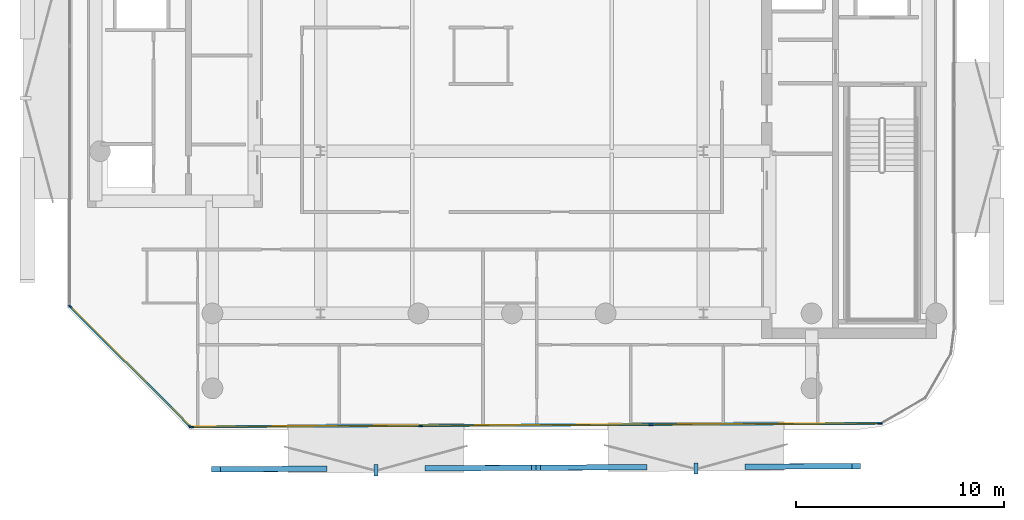
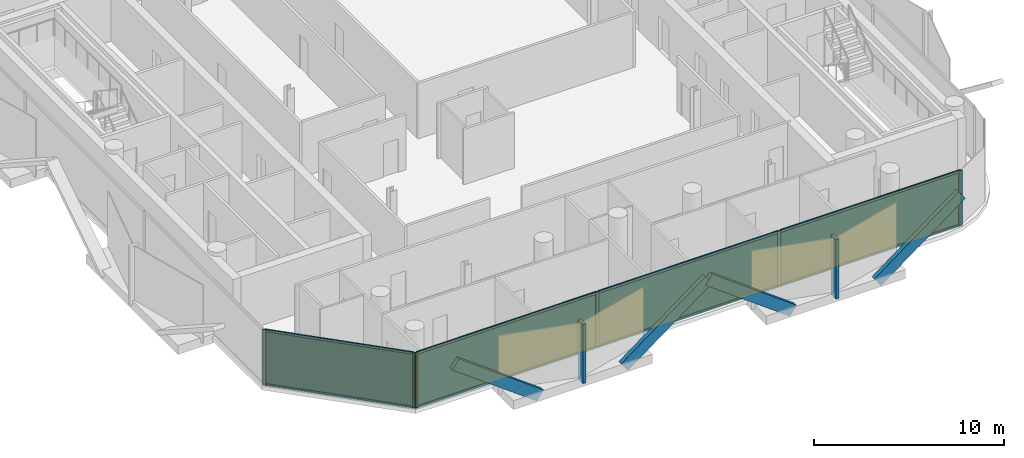
# One storey, part 9 of 15: 20 members, 4 plates, 2 curtain walls.
"""IFC4 building model written with IfcOpenShell, lengths in metres."""

from ifc_helpers import new_model, si_unit, direction, frame, frame_2d, origin, origin_2d, place, context, subcontext, project, spatial, rectangle, extrude, material, layer, layer_set, material_profile, profile_set, type_object, element, aggregate, save


model = new_model("IFC4")

# Units and contexts
model_context = context("Model", 3, precision=1e-05, world=origin(), true_north=direction((0.0, 1.0)))
body_context = subcontext(model_context, "Body", "Model", "MODEL_VIEW")
ifc_project = project(units=[si_unit("LENGTHUNIT", "METRE"), si_unit("AREAUNIT", "SQUARE_METRE"), si_unit("VOLUMEUNIT", "CUBIC_METRE"), si_unit("PLANEANGLEUNIT", "RADIAN"), si_unit("MASSUNIT", "GRAM", prefix="KILO")], contexts=[model_context])

# Member
ifc_material_1 = material(Name="Anodised Bronze Aluminium 6063-T6", Category="aluminium")
ifc_material_profile_1 = material_profile(ifc_material_1, rectangle(XDim=0.260009765625, YDim=0.699951171875, at=origin_2d()))
ifc_profile_set_1 = profile_set([ifc_material_profile_1], Name="Anodised Bronze Aluminium 6063-T6")
member_type_1 = type_object("IfcMemberType", Name="Bronze Diamond Solar-Screen Lattice Rib BDL-700", PredefinedType="MULLION", material=ifc_profile_set_1)
site_placement = place(None, origin())
building_placement = place(site_placement, origin())
storey_placement = place(building_placement, frame((0.0, 0.0, 285.199951171875)))
member_1_placement = place(storey_placement, frame((6.283935546875, -25.992919921875, -0.1298828125), z_axis=(-0.803500020593, -0.00397753354, 0.595291437981), x_axis=(-0.007859235196, 0.999961406081, -0.003926674333)))
member_1 = element("IfcMember", 1, at=member_1_placement, type_object=member_type_1, Name="L68 Bronze Diamond Solar Screen Lattice Rib 470A", PredefinedType="MULLION", context=body_context, shape_type="SweptSolid", body=[
    extrude(rectangle(XDim=0.260009765625, YDim=0.699951171875, at=origin_2d()), origin(), (0.0, 0.0, 1.0), 6.383544921875),
])

member_2_placement = place(storey_placement, frame((11.412841796875, -25.9677734375, -0.1298828125), z_axis=(0.803486466228, 0.003977655773, 0.595309731856), x_axis=(0.007859560217, -0.999961403786, -0.003926608098)))
member_2 = element("IfcMember", 2, at=member_2_placement, type_object=member_type_1, Name="L68 Bronze Diamond Solar Screen Lattice Rib 470B", PredefinedType="MULLION", context=body_context, shape_type="SweptSolid", body=[
    extrude(rectangle(XDim=0.260009765625, YDim=0.699951171875, at=origin_2d()), origin(), (0.0, 0.0, 1.0), 6.38330078125),
])

member_3_placement = place(storey_placement, frame((-9.10302734375, -26.06884765625, -0.1298828125), z_axis=(-0.803486587877, -0.00393940968, 0.595309821987), x_axis=(-0.007811962727, 0.999961776764, -0.003926607772)))
member_3 = element("IfcMember", 3, at=member_3_placement, type_object=member_type_1, Name="L68 Bronze Diamond Solar Screen Lattice Rib 471A", PredefinedType="MULLION", context=body_context, shape_type="SweptSolid", body=[
    extrude(rectangle(XDim=0.260009765625, YDim=0.699951171875, at=origin_2d()), origin(), (0.0, 0.0, 1.0), 6.38330078125),
])

member_4_placement = place(storey_placement, frame((-3.97412109375, -26.04345703125, -0.1298828125), z_axis=(0.803486587877, 0.00393940968, 0.595309821987), x_axis=(0.007811962727, -0.999961776764, -0.003926607772)))
member_4 = element("IfcMember", 4, at=member_4_placement, type_object=member_type_1, Name="L68 Bronze Diamond Solar Screen Lattice Rib 471B", PredefinedType="MULLION", context=body_context, shape_type="SweptSolid", body=[
    extrude(rectangle(XDim=0.260009765625, YDim=0.699951171875, at=origin_2d()), origin(), (0.0, 0.0, 1.0), 6.38330078125),
])

ifc_material_2 = material(Name="Anodised Bronze Aluminium 6063-T6", Category="aluminium")
ifc_material_profile_2 = material_profile(ifc_material_2, rectangle(XDim=0.179931640625, YDim=0.5400390625, at=origin_2d()))
ifc_profile_set_2 = profile_set([ifc_material_profile_2], Name="Anodised Bronze Aluminium 6063-T6")
member_type_2 = type_object("IfcMemberType", Name="Bronze Solar-Screen Vertical Fold Fin BSF-540", PredefinedType="MULLION", material=ifc_profile_set_2)
member_5_placement = place(storey_placement, frame((8.8486328125, -26.060302734375, -0.1298828125), z_axis=(0.0, 0.0, 1.0), x_axis=(-0.999988059021, -0.004886902454, 0.0)))
member_5 = element("IfcMember", 5, at=member_5_placement, type_object=member_type_2, Name="L68 Bronze Solar Screen Vertical Fin 470", PredefinedType="MULLION", context=body_context, shape_type="SweptSolid", body=[
    extrude(rectangle(XDim=0.179931640625, YDim=0.5400390625, at=origin_2d()), origin(), (0.0, 0.0, 1.0), 3.800048828125),
])

member_6_placement = place(storey_placement, frame((-6.5380859375, -26.13623046875, -0.1298828125), z_axis=(0.0, 0.0, 1.0), x_axis=(-0.999988059021, -0.004886902454, 0.0)))
member_6 = element("IfcMember", 6, at=member_6_placement, type_object=member_type_2, Name="L68 Bronze Solar Screen Vertical Fin 471", PredefinedType="MULLION", context=body_context, shape_type="SweptSolid", body=[
    extrude(rectangle(XDim=0.179931640625, YDim=0.5400390625, at=origin_2d()), origin(), (0.0, 0.0, 1.0), 3.800048828125),
])

ifc_material_3 = material(Name="Anodised Bronze Aluminium 6063-T6", Category="aluminium")
ifc_material_profile_3 = material_profile(ifc_material_3, rectangle(XDim=0.074951171875, YDim=0.2099609375, at=origin_2d()))
ifc_profile_set_3 = profile_set([ifc_material_profile_3], Name="Anodised Bronze Aluminium 6063-T6")
member_type_3 = type_object("IfcMemberType", Name="CW-CRN Mullion 75x210", PredefinedType="MULLION", material=ifc_profile_set_3)
member_7_placement = place(storey_placement, frame((17.694091796875, -23.896728515625, 0.0), z_axis=(0.0, 0.0, 1.0), x_axis=(0.004925528901, -0.999987869509, 0.0)))
member_7 = element("IfcMember", 7, at=member_7_placement, type_object=member_type_3, Name="CW-CRN mullion 1", PredefinedType="MULLION", context=body_context, shape_type="SweptSolid", body=[
    extrude(rectangle(XDim=0.074951171875, YDim=0.2099609375, at=origin_2d()), origin(), (0.0, 0.0, 1.0), 3.5400390625),
])

member_8_placement = place(storey_placement, frame((6.673828125, -23.951171875, 0.0), z_axis=(0.0, 0.0, 1.0), x_axis=(0.004925528901, -0.999987869509, 0.0)))
member_8 = element("IfcMember", 8, at=member_8_placement, type_object=member_type_3, Name="CW-CRN mullion 2", PredefinedType="MULLION", context=body_context, shape_type="SweptSolid", body=[
    extrude(rectangle(XDim=0.074951171875, YDim=0.2099609375, at=origin_2d()), origin(), (0.0, 0.0, 1.0), 3.5400390625),
])

member_9_placement = place(storey_placement, frame((-4.384033203125, -24.005615234375, 0.0), z_axis=(0.0, 0.0, 1.0), x_axis=(0.004925528901, -0.999987869509, 0.0)))
member_9 = element("IfcMember", 9, at=member_9_placement, type_object=member_type_3, Name="CW-CRN mullion 3", PredefinedType="MULLION", context=body_context, shape_type="SweptSolid", body=[
    extrude(rectangle(XDim=0.074951171875, YDim=0.2099609375, at=origin_2d()), origin(), (0.0, 0.0, 1.0), 3.5400390625),
])

member_10_placement = place(storey_placement, frame((-15.404541015625, -24.059814453125, 0.0), z_axis=(0.0, 0.0, 1.0), x_axis=(0.004925528901, -0.999987869509, 0.0)))
member_10 = element("IfcMember", 10, at=member_10_placement, type_object=member_type_3, Name="CW-CRN mullion 4", PredefinedType="MULLION", context=body_context, shape_type="SweptSolid", body=[
    extrude(rectangle(XDim=0.074951171875, YDim=0.2099609375, at=origin_2d()), origin(), (0.0, 0.0, 1.0), 3.5400390625),
])

ifc_material_4 = material(Name="Anodised Bronze Aluminium 6063-T6", Category="aluminium")
ifc_material_profile_4 = material_profile(ifc_material_4, rectangle(XDim=0.074951171875, YDim=0.1650390625, at=origin_2d()))
ifc_profile_set_4 = profile_set([ifc_material_profile_4], Name="Anodised Bronze Aluminium 6063-T6")
member_type_4 = type_object("IfcMemberType", Name="CW-CRN Transom 75x165", PredefinedType="USERDEFINED", material=ifc_profile_set_4)
member_11_placement = place(storey_placement, frame((17.65673828125, -23.89697265625, 0.03759765625), z_axis=(-0.999987850706, -0.004929344791, 0.0), x_axis=(0.004929344791, -0.999987850706, 0.0)))
member_11 = element("IfcMember", 11, at=member_11_placement, type_object=member_type_4, Name="CW-CRN transom 1.1", ObjectType="TRANSOM", PredefinedType="USERDEFINED", context=body_context, shape_type="SweptSolid", body=[
    extrude(rectangle(XDim=0.074951171875, YDim=0.1650390625, at=origin_2d()), origin(), (0.0, 0.0, 1.0), 10.94580078125),
])

member_12_placement = place(storey_placement, frame((17.65673828125, -23.89697265625, 3.50244140625), z_axis=(-0.999987850706, -0.004929344791, 0.0), x_axis=(0.004929344791, -0.999987850706, 0.0)))
member_12 = element("IfcMember", 12, at=member_12_placement, type_object=member_type_4, Name="CW-CRN transom 1.2", ObjectType="TRANSOM", PredefinedType="USERDEFINED", context=body_context, shape_type="SweptSolid", body=[
    extrude(rectangle(XDim=0.074951171875, YDim=0.1650390625, at=origin_2d()), origin(), (0.0, 0.0, 1.0), 10.94580078125),
])

member_13_placement = place(storey_placement, frame((6.63623046875, -23.951171875, 0.03759765625), z_axis=(-0.999987823758, -0.004934808538, 0.0), x_axis=(0.004934808538, -0.999987823758, 0.0)))
member_13 = element("IfcMember", 13, at=member_13_placement, type_object=member_type_4, Name="CW-CRN transom 2.1", ObjectType="TRANSOM", PredefinedType="USERDEFINED", context=body_context, shape_type="SweptSolid", body=[
    extrude(rectangle(XDim=0.074951171875, YDim=0.1650390625, at=origin_2d()), origin(), (0.0, 0.0, 1.0), 10.983154296875),
])

member_14_placement = place(storey_placement, frame((6.63623046875, -23.951171875, 3.50244140625), z_axis=(-0.999987823758, -0.004934808538, 0.0), x_axis=(0.004934808538, -0.999987823758, 0.0)))
member_14 = element("IfcMember", 14, at=member_14_placement, type_object=member_type_4, Name="CW-CRN transom 2.2", ObjectType="TRANSOM", PredefinedType="USERDEFINED", context=body_context, shape_type="SweptSolid", body=[
    extrude(rectangle(XDim=0.074951171875, YDim=0.1650390625, at=origin_2d()), origin(), (0.0, 0.0, 1.0), 10.983154296875),
])

member_15_placement = place(storey_placement, frame((-4.421630859375, -24.005615234375, 0.03759765625), z_axis=(-0.999987850164, -0.00492945474, 0.0), x_axis=(0.00492945474, -0.999987850164, 0.0)))
member_15 = element("IfcMember", 15, at=member_15_placement, type_object=member_type_4, Name="CW-CRN transom 3.1", ObjectType="TRANSOM", PredefinedType="USERDEFINED", context=body_context, shape_type="SweptSolid", body=[
    extrude(rectangle(XDim=0.074951171875, YDim=0.1650390625, at=origin_2d()), origin(), (0.0, 0.0, 1.0), 10.945556640625),
])

member_16_placement = place(storey_placement, frame((-4.421630859375, -24.005615234375, 3.50244140625), z_axis=(-0.999987850164, -0.00492945474, 0.0), x_axis=(0.00492945474, -0.999987850164, 0.0)))
member_16 = element("IfcMember", 16, at=member_16_placement, type_object=member_type_4, Name="CW-CRN transom 3.2", ObjectType="TRANSOM", PredefinedType="USERDEFINED", context=body_context, shape_type="SweptSolid", body=[
    extrude(rectangle(XDim=0.074951171875, YDim=0.1650390625, at=origin_2d()), origin(), (0.0, 0.0, 1.0), 10.945556640625),
])

ifc_material_5 = material(Name="Anodised Bronze Aluminium 6063-T6", Category="aluminium")
ifc_material_profile_5 = material_profile(ifc_material_5, rectangle(XDim=0.070068359375, YDim=0.18994140625, at=origin_2d()))
ifc_profile_set_5 = profile_set([ifc_material_profile_5], Name="Anodised Bronze Aluminium 6063-T6")
member_type_5 = type_object("IfcMemberType", Name="CW-SLC Mullion 70x190", PredefinedType="MULLION", material=ifc_profile_set_5)
member_17_placement = place(storey_placement, frame((-15.466796875, -24.03515625, 0.0), z_axis=(0.0, 0.0, 1.0), x_axis=(-0.707106781187, -0.707106781187, 0.0)))
member_17 = element("IfcMember", 17, at=member_17_placement, type_object=member_type_5, Name="CW-SLC mullion 1", PredefinedType="MULLION", context=body_context, shape_type="SweptSolid", body=[
    extrude(rectangle(XDim=0.070068359375, YDim=0.18994140625, at=origin_2d()), origin(), (0.0, 0.0, 1.0), 3.5400390625),
])

member_18_placement = place(storey_placement, frame((-21.2353515625, -18.266845703125, 0.0), z_axis=(0.0, 0.0, 1.0), x_axis=(-0.707106781187, -0.707106781187, 0.0)))
member_18 = element("IfcMember", 18, at=member_18_placement, type_object=member_type_5, Name="CW-SLC mullion 2", PredefinedType="MULLION", context=body_context, shape_type="SweptSolid", body=[
    extrude(rectangle(XDim=0.070068359375, YDim=0.18994140625, at=origin_2d()), origin(), (0.0, 0.0, 1.0), 3.5400390625),
])

ifc_material_6 = material(Name="Anodised Bronze Aluminium 6063-T6", Category="aluminium")
ifc_material_profile_6 = material_profile(ifc_material_6, rectangle(XDim=0.070068359375, YDim=0.14990234375, at=origin_2d()))
ifc_profile_set_6 = profile_set([ifc_material_profile_6], Name="Anodised Bronze Aluminium 6063-T6")
member_type_6 = type_object("IfcMemberType", Name="CW-SLC Transom 70x150", PredefinedType="USERDEFINED", material=ifc_profile_set_6)
member_19_placement = place(storey_placement, frame((-15.491455078125, -24.010498046875, 0.03515625), z_axis=(-0.707106781187, 0.707106781187, 0.0), x_axis=(-0.707106781187, -0.707106781187, 0.0)))
member_19 = element("IfcMember", 19, at=member_19_placement, type_object=member_type_6, Name="CW-SLC transom 1.1", ObjectType="TRANSOM", PredefinedType="USERDEFINED", context=body_context, shape_type="SweptSolid", body=[
    extrude(rectangle(XDim=0.070068359375, YDim=0.14990234375, at=origin_2d()), origin(), (0.0, 0.0, 1.0), 8.087890625),
])

member_20_placement = place(storey_placement, frame((-15.491455078125, -24.010498046875, 3.505126953125), z_axis=(-0.707106781187, 0.707106781187, 0.0), x_axis=(-0.707106781187, -0.707106781187, 0.0)))
member_20 = element("IfcMember", 20, at=member_20_placement, type_object=member_type_6, Name="CW-SLC transom 1.2", ObjectType="TRANSOM", PredefinedType="USERDEFINED", context=body_context, shape_type="SweptSolid", body=[
    extrude(rectangle(XDim=0.070068359375, YDim=0.14990234375, at=origin_2d()), origin(), (0.0, 0.0, 1.0), 8.087890625),
])

# Plate
ifc_material_7 = material(Name="Low-E Solar Control Laminated Glass", Category="glass")
ifc_layer_1 = layer(ifc_material_7, 0.035888671875, Name="Low-E Solar Control Laminated Glass")
ifc_layer_set_1 = layer_set([ifc_layer_1], Name="Low-E Solar Control Laminated Glass")
plate_type_1 = type_object("IfcPlateType", Name="CW-CRN Low-E Double Glazed Panel 36mm", PredefinedType="CURTAIN_PANEL", material=ifc_layer_set_1)
plate_1_placement = place(storey_placement, frame((12.18408203125, -23.923828125, 0.0751953125), z_axis=(0.0, 0.0, 1.0), x_axis=(-0.999987869509, -0.004925528901, 0.0)))
plate_1 = element("IfcPlate", 21, at=plate_1_placement, type_object=plate_type_1, Name="CW-CRN panel 1.1", PredefinedType="CURTAIN_PANEL", context=body_context, shape_type="SweptSolid", body=[
    extrude(rectangle(XDim=10.945556640625, YDim=0.035888671875, at=origin_2d()), origin(), (0.0, 0.0, 1.0), 3.389892578125),
])

plate_2_placement = place(storey_placement, frame((1.144775390625, -23.978271484375, 0.0751953125), z_axis=(0.0, 0.0, 1.0), x_axis=(-0.999987869509, -0.004925528901, 0.0)))
plate_2 = element("IfcPlate", 22, at=plate_2_placement, type_object=plate_type_1, Name="CW-CRN panel 2.1", PredefinedType="CURTAIN_PANEL", context=body_context, shape_type="SweptSolid", body=[
    extrude(rectangle(XDim=10.983154296875, YDim=0.035888671875, at=origin_2d()), origin(), (0.0, 0.0, 1.0), 3.389892578125),
])

plate_3_placement = place(storey_placement, frame((-9.894287109375, -24.03271484375, 0.0751953125), z_axis=(0.0, 0.0, 1.0), x_axis=(-0.999987869509, -0.004925528901, 0.0)))
plate_3 = element("IfcPlate", 23, at=plate_3_placement, type_object=plate_type_1, Name="CW-CRN panel 3.1", PredefinedType="CURTAIN_PANEL", context=body_context, shape_type="SweptSolid", body=[
    extrude(rectangle(XDim=10.945556640625, YDim=0.035888671875, at=origin_2d()), origin(), (0.0, 0.0, 1.0), 3.389892578125),
])

ifc_material_8 = material(Name="Low-E Solar Control Laminated Glass", Category="glass")
ifc_layer_2 = layer(ifc_material_8, 0.033935546875, Name="Low-E Solar Control Laminated Glass")
ifc_layer_set_2 = layer_set([ifc_layer_2], Name="Low-E Solar Control Laminated Glass")
plate_type_2 = type_object("IfcPlateType", Name="CW-SLC Low-E Double Glazed Panel 34mm", PredefinedType="CURTAIN_PANEL", material=ifc_layer_set_2)
plate_4_placement = place(storey_placement, frame((-18.35107421875, -21.15087890625, 0.070068359375), z_axis=(0.0, 0.0, 1.0), x_axis=(-0.707106781187, 0.707106781187, 0.0)))
plate_4 = element("IfcPlate", 24, at=plate_4_placement, type_object=plate_type_2, Name="CW-SLC panel 1.1", PredefinedType="CURTAIN_PANEL", context=body_context, shape_type="SweptSolid", body=[
    extrude(rectangle(XDim=8.087890625, YDim=0.033935546875, at=origin_2d()), origin(), (0.0, 0.0, 1.0), 3.39990234375),
])

# Site, building, storey
site = spatial("IfcSite", under=ifc_project, at=site_placement, CompositionType="ELEMENT")
building = spatial("IfcBuilding", under=site, at=building_placement, Name="Khairoan Windgate Tower", CompositionType="ELEMENT")
storey = spatial("IfcBuildingStorey", under=building, at=storey_placement, Name="L68", CompositionType="ELEMENT", Elevation=285.199951171875)

# Curtain wall
ifc_material_9 = material(Name="Anodised Bronze Aluminium 6063-T6", Category="aluminium")
ifc_layer_3 = layer(ifc_material_9, 0.2099609375, Name="Anodised Bronze Aluminium 6063-T6")
ifc_layer_set_3 = layer_set([ifc_layer_3], Name="Anodised Bronze Aluminium 6063-T6")
curtain_wall_type_1 = type_object("IfcCurtainWallType", Name="Crown Observation and Vitrine Curtain Wall CW-CRN", PredefinedType="NOTDEFINED", material=ifc_layer_set_3)
curtain_wall_1_placement = place(storey_placement, frame((17.731689453125, -23.896484375, 0.0), z_axis=(0.0, 0.0, 1.0), x_axis=(-0.999987843543, -0.004930797659, 0.0)))
curtain_wall_1 = element("IfcCurtainWall", 25, at=curtain_wall_1_placement, inside=storey, type_object=curtain_wall_type_1, Name="L68 Unitised Curtain Wall 1", PredefinedType="NOTDEFINED", context=body_context, shape_type="SweptSolid", body=[
    extrude(rectangle(XDim=33.174072265625, YDim=0.010009765625, at=frame_2d((16.5869140625, 0.0))), origin(), (0.0, 0.0, 1.0), 3.5400390625),
])

aggregate(curtain_wall_1, [member_7, member_8, member_9, member_10, member_11, member_12, plate_1, member_13, member_14, plate_2, member_15, member_16, plate_3, member_1, member_2, member_5, member_3, member_4, member_6])

ifc_material_10 = material(Name="Anodised Bronze Aluminium 6063-T6", Category="aluminium")
ifc_layer_4 = layer(ifc_material_10, 0.18994140625, Name="Anodised Bronze Aluminium 6063-T6")
ifc_layer_set_4 = layer_set([ifc_layer_4], Name="Anodised Bronze Aluminium 6063-T6")
curtain_wall_type_2 = type_object("IfcCurtainWallType", Name="Diagonal Corner-Slice Facet Curtain Wall CW-SLC", PredefinedType="NOTDEFINED", material=ifc_layer_set_4)
curtain_wall_2_placement = place(storey_placement, frame((-15.44189453125, -24.06005859375, 0.0), z_axis=(0.0, 0.0, 1.0), x_axis=(-0.707106781187, 0.707106781187, 0.0)))
curtain_wall_2 = element("IfcCurtainWall", 26, at=curtain_wall_2_placement, inside=storey, type_object=curtain_wall_type_2, Name="L68 Crystal Slice Curtain Wall 2", PredefinedType="NOTDEFINED", context=body_context, shape_type="SweptSolid", body=[
    extrude(rectangle(XDim=8.22802734375, YDim=0.010009765625, at=frame_2d((4.114013671875, 0.0))), origin(), (0.0, 0.0, 1.0), 3.5400390625),
])

aggregate(curtain_wall_2, [member_17, member_18, member_19, member_20, plate_4])

save(model, "model.ifc")
